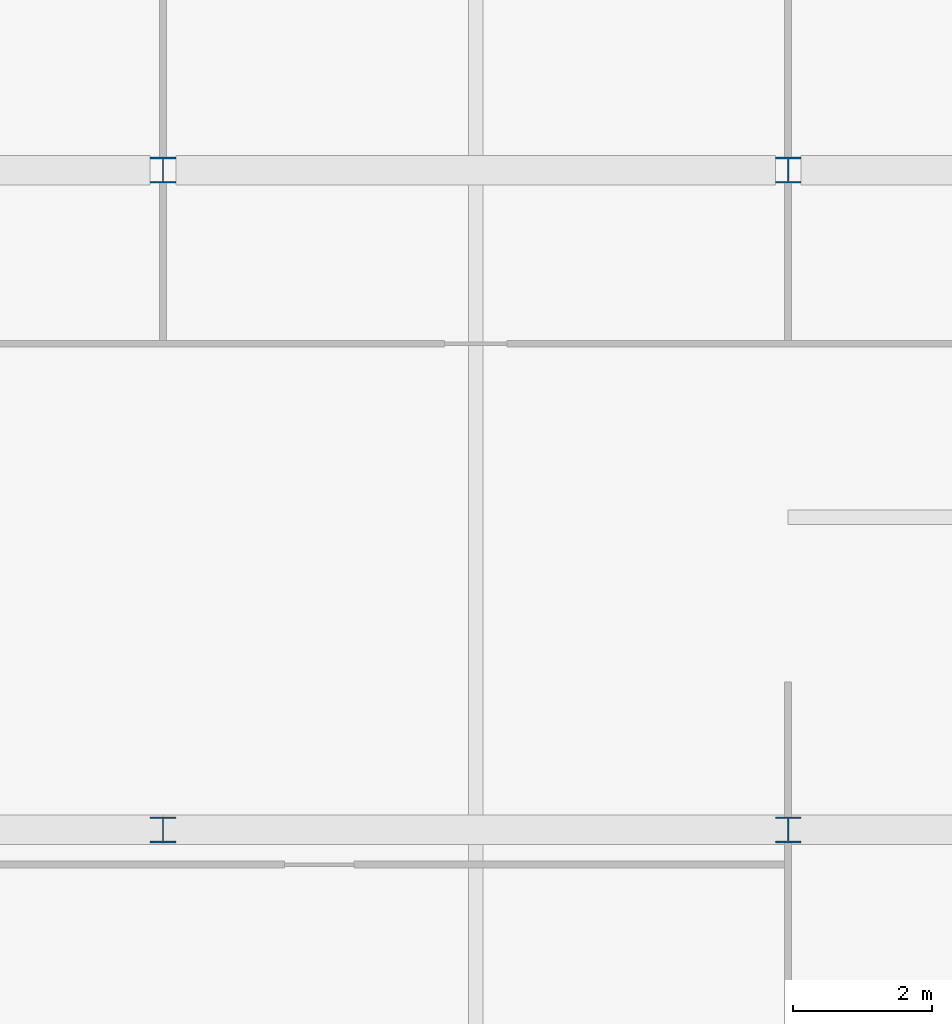
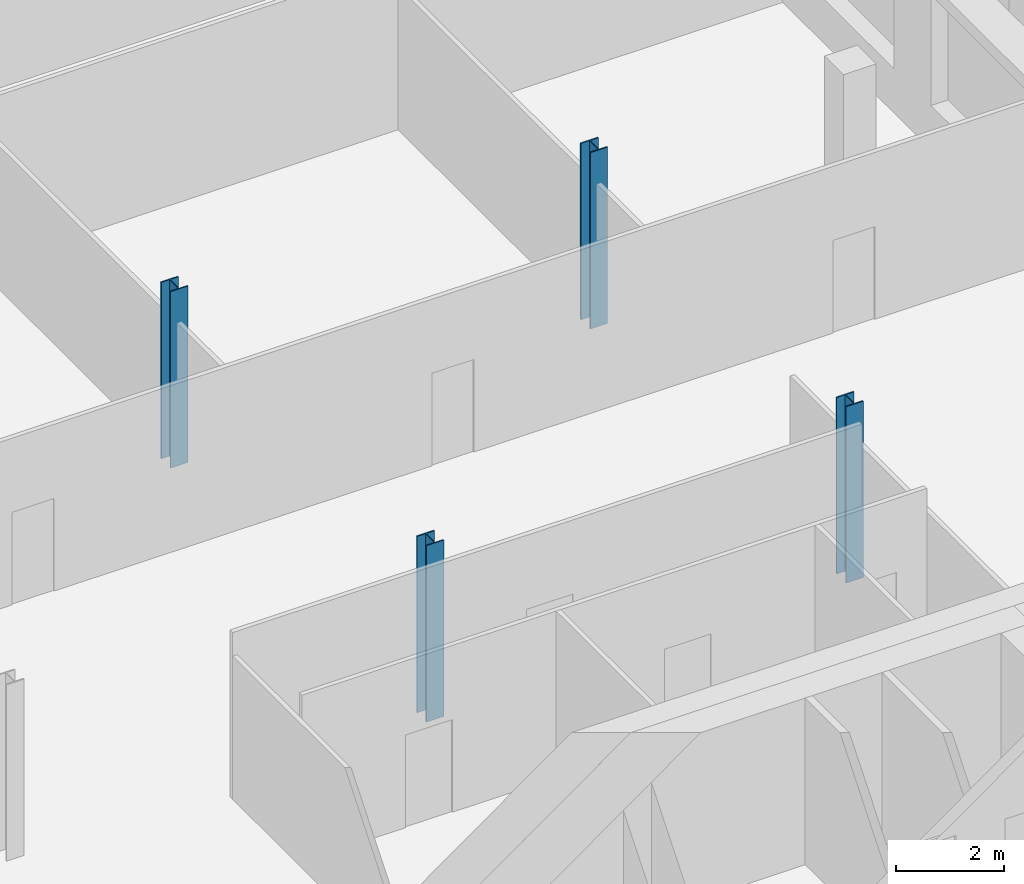
# One storey, part 2 of 16: 4 columns.
"""IFC4 building model written with IfcOpenShell, lengths in metres."""

from ifc_helpers import new_model, si_unit, direction, frame, origin, origin_2d, place, context, subcontext, project, spatial, i_section, extrude, material, material_profile, profile_set, type_object, element, save


model = new_model("IFC4")

# Units and contexts
model_context = context("Model", 3, precision=1e-05, world=origin(), true_north=direction((0.0, 1.0)))
body_context = subcontext(model_context, "Body", "Model", "MODEL_VIEW")
ifc_project = project(units=[si_unit("LENGTHUNIT", "METRE"), si_unit("AREAUNIT", "SQUARE_METRE"), si_unit("VOLUMEUNIT", "CUBIC_METRE"), si_unit("PLANEANGLEUNIT", "RADIAN"), si_unit("MASSUNIT", "GRAM", prefix="KILO")], contexts=[model_context])

# Site, building, storey
site_placement = place(None, origin())
site = spatial("IfcSite", under=ifc_project, at=site_placement, CompositionType="ELEMENT")
building_placement = place(site_placement, origin())
building = spatial("IfcBuilding", under=site, at=building_placement, Name="Zellij Exchange Tower", CompositionType="ELEMENT")
storey_placement = place(building_placement, frame((0.0, 0.0, 272.5)))
storey = spatial("IfcBuildingStorey", under=building, at=storey_placement, Name="L64", CompositionType="ELEMENT", Elevation=272.5)

# Columns
ifc_material = material(Name="Structural steel ASTM A992 Gr 50", Category="steel")
ifc_material_profile = material_profile(ifc_material, i_section(OverallWidth=0.373291015625, OverallDepth=0.373291015625, WebThickness=0.016357421875, FlangeThickness=0.026123046875, at=origin_2d()), Name="W14x132")
ifc_profile_set = profile_set([ifc_material_profile], Name="Structural steel ASTM A992 Gr 50")
column_type = type_object("IfcColumnType", Name="STR-COLUMN W14x132", PredefinedType="COLUMN", material=ifc_profile_set)
for number, where, z_axis, x_axis, name in (
    (1, (18.0, 4.5, 0.0), (0.0, 0.0, 1.0), (1.0, 0.0, 0.0), "C1"),
    (2, (27.0, 4.5, 0.0), (0.0, 0.0, 1.0), (1.0, 0.0, 0.0), "C1"),
    (3, (18.0, 14.0, 0.0), (0.0, 0.0, 1.0), (1.0, 0.0, 0.0), "C1"),
    (4, (27.0, 14.0, 0.0), (0.0, 0.0, 1.0), (1.0, 0.0, 0.0), "C1"),
):
    element("IfcColumn", number, at=place(storey_placement, frame(where, z_axis=z_axis, x_axis=x_axis)), inside=storey, type_object=column_type, Name=name, PredefinedType="COLUMN", context=body_context, shape_type="SweptSolid", body=[
        extrude(i_section(OverallWidth=0.373291015625, OverallDepth=0.373291015625, WebThickness=0.016357421875, FlangeThickness=0.026123046875, at=origin_2d()), origin(), (0.0, 0.0, 1.0), 4.0),
    ])

save(model, "model.ifc")
